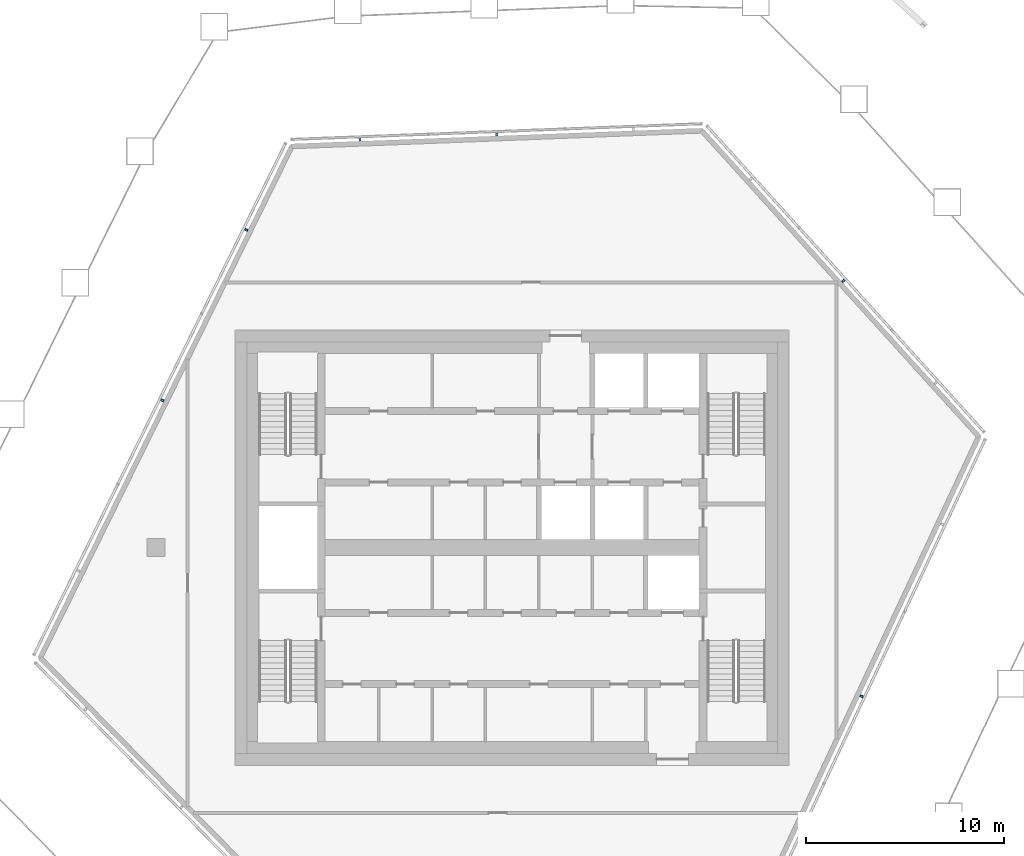
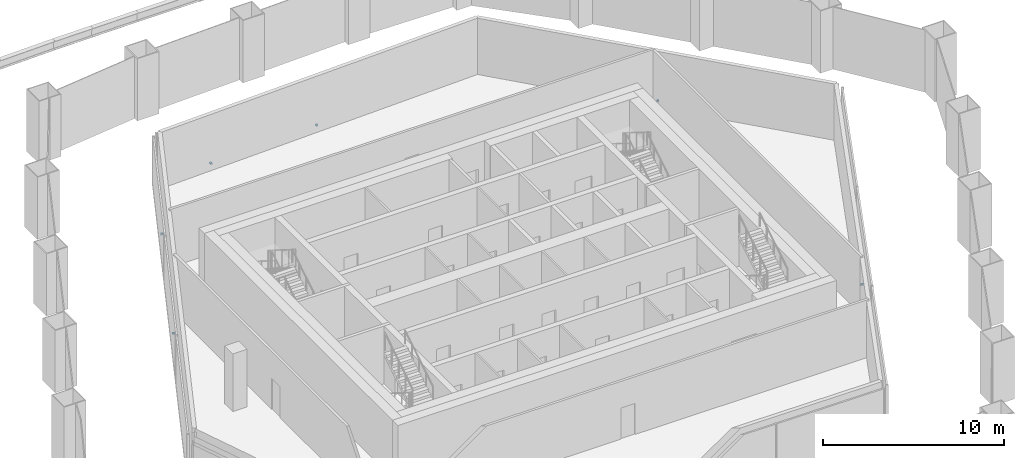
# One storey, part 11 of 18: 6 discrete accessories, 4 elements without a shape of their own.
"""IFC4 building model written with IfcOpenShell, lengths in metres."""

from ifc_helpers import new_model, si_unit, direction, frame, origin, origin_2d, place, context, subcontext, project, spatial, rectangle, extrude, material, layer, layer_set, type_object, element, aggregate, save


model = new_model("IFC4")

# Units and contexts
model_context = context("Model", 3, precision=1e-05, world=origin(), true_north=direction((0.0, 1.0)))
body_context = subcontext(model_context, "Body", "Model", "MODEL_VIEW")
ifc_project = project(units=[si_unit("LENGTHUNIT", "METRE"), si_unit("AREAUNIT", "SQUARE_METRE"), si_unit("VOLUMEUNIT", "CUBIC_METRE"), si_unit("PLANEANGLEUNIT", "RADIAN"), si_unit("MASSUNIT", "GRAM", prefix="KILO")], contexts=[model_context])

# Site, building, storey
site_placement = place(None, origin())
site = spatial("IfcSite", under=ifc_project, at=site_placement, CompositionType="ELEMENT")
building_placement = place(site_placement, origin())
building = spatial("IfcBuilding", under=site, at=building_placement, Name="Dongbaek Canopy Tower", CompositionType="ELEMENT")
storey_placement = place(building_placement, frame((0.0, 0.0, 371.60009765625)))
storey = spatial("IfcBuildingStorey", under=building, at=storey_placement, Name="L80", CompositionType="ELEMENT", Elevation=371.60009765625)

# Curtain wall, discrete accessory
ifc_material_1 = material(Name="Aluminium 6063-T6 pale anodised", Category="aluminium")
ifc_layer = layer(ifc_material_1, 0.14990234375)
ifc_layer_set = layer_set([ifc_layer], Name="CW-7 louvre curtain wall")
curtain_wall_type = type_object("IfcCurtainWallType", Name="CW-7 louvre curtain wall", PredefinedType="NOTDEFINED", material=ifc_layer_set)
curtain_wall_1_placement = place(storey_placement, origin())
curtain_wall_1 = element("IfcCurtainWall", 1, at=curtain_wall_1_placement, inside=storey, type_object=curtain_wall_type, Name="CW-7 louvre wall L80 F1", PredefinedType="NOTDEFINED")
ifc_material_2 = material(Name="Galvanised steel S355 bracket", Category="steel")
discrete_accessory_type = type_object("IfcDiscreteAccessoryType", Name="Louvre bracket BR1", PredefinedType="BRACKET", material=ifc_material_2)
discrete_accessory_1_placement = place(storey_placement, frame((17.65625, -7.51220703125, 0.18994140625), z_axis=(0.0, 0.0, 1.0), x_axis=(0.42412286138, 0.905604659029, 0.0)))
discrete_accessory_1 = element("IfcDiscreteAccessory", 2, at=discrete_accessory_1_placement, type_object=discrete_accessory_type, Name="Louvre bracket L80 F1.1.2", PredefinedType="BRACKET", context=body_context, shape_type="SweptSolid", body=[
    extrude(rectangle(XDim=0.1201171875, YDim=0.14990234375, at=origin_2d()), origin(), (0.0, 0.0, 1.0), 0.10009765625),
])
aggregate(curtain_wall_1, [discrete_accessory_1])

curtain_wall_2_placement = place(storey_placement, origin())
curtain_wall_2 = element("IfcCurtainWall", 3, at=curtain_wall_2_placement, inside=storey, type_object=curtain_wall_type, Name="CW-7 louvre wall L80 F2", PredefinedType="NOTDEFINED")
discrete_accessory_2_placement = place(storey_placement, frame((16.731201171875, 13.4775390625, 0.18994140625), z_axis=(0.0, 0.0, 1.0), x_axis=(-0.671259717142, 0.741222228581, 0.0)))
discrete_accessory_2 = element("IfcDiscreteAccessory", 4, at=discrete_accessory_2_placement, type_object=discrete_accessory_type, Name="Louvre bracket L80 F2.1.2", PredefinedType="BRACKET", context=body_context, shape_type="SweptSolid", body=[
    extrude(rectangle(XDim=0.1201171875, YDim=0.14990234375, at=origin_2d()), origin(), (0.0, 0.0, 1.0), 0.10009765625),
])
aggregate(curtain_wall_2, [discrete_accessory_2])

# Curtain wall, discrete accessories
curtain_wall_3_placement = place(storey_placement, origin())
curtain_wall_3 = element("IfcCurtainWall", 5, at=curtain_wall_3_placement, inside=storey, type_object=curtain_wall_type, Name="CW-7 louvre wall L80 F3", PredefinedType="NOTDEFINED")
discrete_accessory_3_placement = place(storey_placement, frame((-0.78515625, 20.8759765625, 0.18994140625), z_axis=(0.0, 0.0, 1.0), x_axis=(-0.999268890611, -0.038231979514, 0.0)))
discrete_accessory_3 = element("IfcDiscreteAccessory", 6, at=discrete_accessory_3_placement, type_object=discrete_accessory_type, Name="Louvre bracket L80 F3.1.2", PredefinedType="BRACKET", context=body_context, shape_type="SweptSolid", body=[
    extrude(rectangle(XDim=0.1201171875, YDim=0.14990234375, at=origin_2d()), origin(), (0.0, 0.0, 1.0), 0.10009765625),
])
discrete_accessory_4_placement = place(storey_placement, frame((-7.6923828125, 20.61181640625, 0.18994140625), z_axis=(0.0, 0.0, 1.0), x_axis=(-0.999268890611, -0.038231979514, 0.0)))
discrete_accessory_4 = element("IfcDiscreteAccessory", 7, at=discrete_accessory_4_placement, type_object=discrete_accessory_type, Name="Louvre bracket L80 F3.1.3", PredefinedType="BRACKET", context=body_context, shape_type="SweptSolid", body=[
    extrude(rectangle(XDim=0.1201171875, YDim=0.14990234375, at=origin_2d()), origin(), (0.0, 0.0, 1.0), 0.10009765625),
])
aggregate(curtain_wall_3, [discrete_accessory_3, discrete_accessory_4])

curtain_wall_4_placement = place(storey_placement, origin())
curtain_wall_4 = element("IfcCurtainWall", 8, at=curtain_wall_4_placement, inside=storey, type_object=curtain_wall_type, Name="CW-7 louvre wall L80 F4", PredefinedType="NOTDEFINED")
discrete_accessory_5_placement = place(storey_placement, frame((-13.436767578125, 16.06005859375, 0.18994140625), z_axis=(0.0, 0.0, 1.0), x_axis=(-0.441341619439, -0.897339163834, 0.0)))
discrete_accessory_5 = element("IfcDiscreteAccessory", 9, at=discrete_accessory_5_placement, type_object=discrete_accessory_type, Name="Louvre bracket L80 F4.1.1", PredefinedType="BRACKET", context=body_context, shape_type="SweptSolid", body=[
    extrude(rectangle(XDim=0.1201171875, YDim=0.14990234375, at=origin_2d()), origin(), (0.0, 0.0, 1.0), 0.10009765625),
])
discrete_accessory_6_placement = place(storey_placement, frame((-17.67431640625, 7.444091796875, 0.18994140625), z_axis=(0.0, 0.0, 1.0), x_axis=(-0.441341619439, -0.897339163834, 0.0)))
discrete_accessory_6 = element("IfcDiscreteAccessory", 10, at=discrete_accessory_6_placement, type_object=discrete_accessory_type, Name="Louvre bracket L80 F4.1.2", PredefinedType="BRACKET", context=body_context, shape_type="SweptSolid", body=[
    extrude(rectangle(XDim=0.1201171875, YDim=0.14990234375, at=origin_2d()), origin(), (0.0, 0.0, 1.0), 0.10009765625),
])
aggregate(curtain_wall_4, [discrete_accessory_5, discrete_accessory_6])

save(model, "model.ifc")
